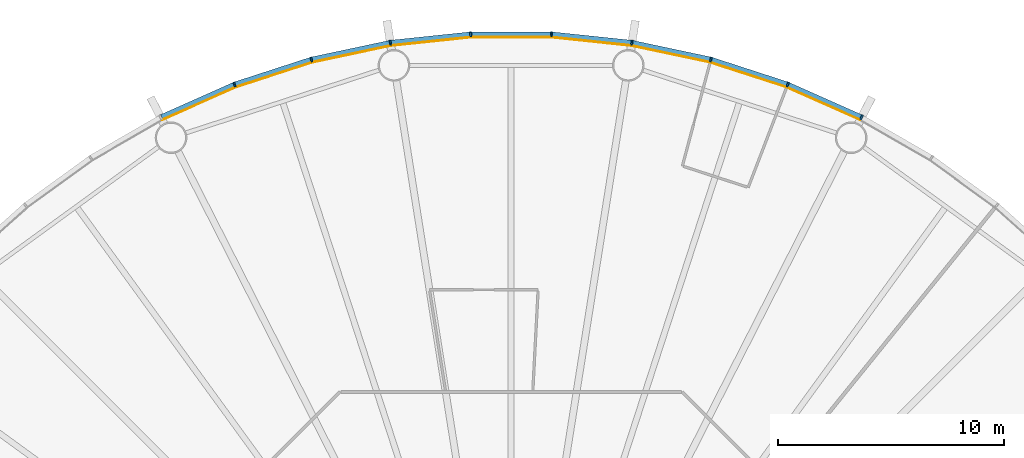
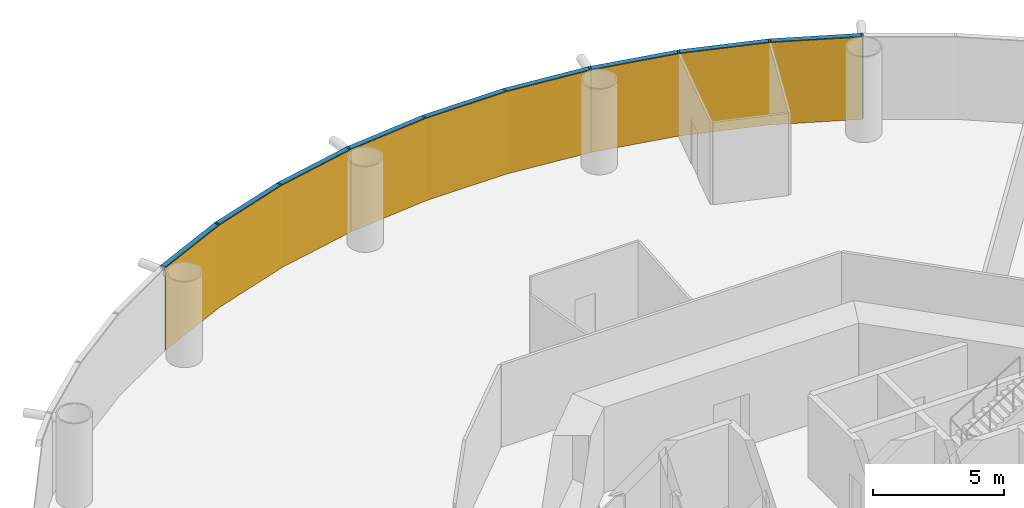
# One storey, part 12 of 13: 18 members, 3 curtain walls.
"""IFC4 building model written with IfcOpenShell, lengths in metres."""

import ifcopenshell
import ifcopenshell.guid

model = None  # the IFC model being written
_history = None  # IfcOwnerHistory: only IFC2X3 demands one
_inside = {}  # id of a spatial element -> (the spatial element, [elements in it])
_under = {}  # id of a project, library or spatial element -> (it, [spatial elements below it])
_declared = {}  # id of a project -> (the project, [libraries it declares])
_typed = {}  # id of a type object -> (the type object, [elements of that type])
_made_of = {}  # id of a material, layer set ... -> (it, [elements and type objects made of it])


def new_model(schema):
    """Start an empty IFC model of exactly this schema.

    Asked for "IFC4X3", IfcOpenShell would pick the latest addendum, in which some entities
    have other attributes; the version numbers below select the first issue.
    IFC2X3 requires an IfcOwnerHistory on every rooted entity: one is made here for all.
    """
    global model, _history
    if schema == "IFC4X3":
        model = ifcopenshell.file(schema_version=(4, 3, 0, 0))
    else:
        model = ifcopenshell.file(schema=schema)
    _inside.clear()
    _under.clear()
    _declared.clear()
    _typed.clear()
    _made_of.clear()
    _history = None
    if model.schema == "IFC2X3":
        org = make("IfcOrganization", Name="unknown")
        user = make(
            "IfcPersonAndOrganization",
            ThePerson=make("IfcPerson", FamilyName="unknown"),
            TheOrganization=org,
        )
        app = make(
            "IfcApplication",
            ApplicationDeveloper=org,
            Version="unknown",
            ApplicationFullName="unknown",
            ApplicationIdentifier="unknown",
        )
        _history = make(
            "IfcOwnerHistory",
            OwningUser=user,
            OwningApplication=app,
            ChangeAction="ADDED",
            CreationDate=0,
        )
    return model


def make(cls, **values):
    """One entity of the class cls with the attributes given. An attribute that is None is left unset."""
    return model.create_entity(
        cls, **{name: value for name, value in values.items() if value is not None}
    )


def rooted(cls, **values):
    """An entity with a GlobalId (a new one), such as an element, a storey or a relation."""
    return make(cls, GlobalId=ifcopenshell.guid.new(), OwnerHistory=_history, **values)


def si_unit(unit_type, name, prefix=None):
    """IfcSIUnit, for example si_unit("LENGTHUNIT", "METRE", prefix="MILLI")."""
    return make("IfcSIUnit", UnitType=unit_type, Prefix=prefix, Name=name)


def assignment(units):
    """IfcUnitAssignment: the units of a project."""
    return None if units is None else make("IfcUnitAssignment", Units=units)


def point(xyz):
    """IfcCartesianPoint."""
    return None if xyz is None else make("IfcCartesianPoint", Coordinates=xyz)


def direction(xyz):
    """IfcDirection."""
    return None if xyz is None else make("IfcDirection", DirectionRatios=xyz)


def frame(location, z_axis=None, x_axis=None):
    """IfcAxis2Placement3D, a coordinate frame: its origin and axes. An axis left out is left unset."""
    return make(
        "IfcAxis2Placement3D",
        Location=point(location),
        Axis=direction(z_axis),
        RefDirection=direction(x_axis),
    )


def frame_2d(location, x_axis=None):
    """IfcAxis2Placement2D, a coordinate frame in the plane: its origin and x axis."""
    return make(
        "IfcAxis2Placement2D", Location=point(location), RefDirection=direction(x_axis)
    )


def origin():
    """The frame at (0, 0, 0) with its axes left unset."""
    return frame((0.0, 0.0, 0.0))


def origin_2d():
    """The frame at (0, 0) in the plane with its x axis left unset."""
    return frame_2d((0.0, 0.0))


def place(relative_to, where):
    """IfcLocalPlacement: puts the frame where relative to a parent placement (None: the world)."""
    return make(
        "IfcLocalPlacement", PlacementRelTo=relative_to, RelativePlacement=where
    )


def context(
    kind, dimensions, precision=None, world=None, true_north=None, identifier=None
):
    """IfcGeometricRepresentationContext, for example the 3D "Model" context."""
    return make(
        "IfcGeometricRepresentationContext",
        ContextIdentifier=identifier,
        ContextType=kind,
        CoordinateSpaceDimension=dimensions,
        Precision=precision,
        WorldCoordinateSystem=world,
        TrueNorth=true_north,
    )


def subcontext(parent, identifier, kind, view, scale=None):
    """IfcGeometricRepresentationSubContext, for example "Body" below "Model"."""
    return make(
        "IfcGeometricRepresentationSubContext",
        ContextIdentifier=identifier,
        ContextType=kind,
        ParentContext=parent,
        TargetScale=scale,
        TargetView=view,
    )


def project(units=None, contexts=None):
    """IfcProject with its units and contexts."""
    return rooted(
        "IfcProject",
        Name="project",
        RepresentationContexts=contexts,
        UnitsInContext=assignment(units),
    )


def spatial(cls, under=None, at=None, **own):
    """A site, building, storey or space (cls), placed at a placement, below another one or the project."""
    s = rooted(cls, ObjectPlacement=at, **own)
    if under is not None:
        _under.setdefault(under.id(), (under, []))[1].append(s)
    return s


def polyline(points):
    """IfcPolyline through the points."""
    return make("IfcPolyline", Points=[point(p) for p in points])


def profile(cls, at=None, kind="AREA", **sizes):
    """A parametric profile (cls). Its sizes go by their IFC names, for example OverallWidth=200.0."""
    return make(cls, ProfileType=kind, Position=at, **sizes)


def rectangle(**sizes):
    """IfcRectangleProfileDef."""
    return profile("IfcRectangleProfileDef", **sizes)


def outline(outer, holes=None, kind="AREA"):
    """IfcArbitraryClosedProfileDef: a profile drawn as a closed curve; with holes, ...WithVoids."""
    if holes is None:
        return make("IfcArbitraryClosedProfileDef", ProfileType=kind, OuterCurve=outer)
    return make(
        "IfcArbitraryProfileDefWithVoids",
        ProfileType=kind,
        OuterCurve=outer,
        InnerCurves=holes,
    )


def extrude(swept, where, along, depth):
    """IfcExtrudedAreaSolid: the profile swept, set in the frame where, extruded along a direction by depth."""
    return make(
        "IfcExtrudedAreaSolid",
        SweptArea=swept,
        Position=where,
        ExtrudedDirection=direction(along),
        Depth=depth,
    )


def shape(context_of_items, identifier, shape_type, items):
    """IfcShapeRepresentation: the items that make up one representation, for example the "Body"."""
    return make(
        "IfcShapeRepresentation",
        ContextOfItems=context_of_items,
        RepresentationIdentifier=identifier,
        RepresentationType=shape_type,
        Items=items,
    )


def material(Name=None, Category=None):
    """IfcMaterial."""
    return make("IfcMaterial", Name=Name, Category=Category)


def layer(
    of_material, thickness, ventilated=None, Name=None, Category=None, Priority=None
):
    """IfcMaterialLayer: one layer of a wall or slab, of a material (None: an air gap)."""
    return make(
        "IfcMaterialLayer",
        Material=of_material,
        LayerThickness=thickness,
        IsVentilated=ventilated,
        Name=Name,
        Category=Category,
        Priority=Priority,
    )


def layer_set(layers, Name=None):
    """IfcMaterialLayerSet."""
    return make("IfcMaterialLayerSet", MaterialLayers=layers, LayerSetName=Name)


def material_profile(
    of_material, cross_section, Name=None, Category=None, Priority=None
):
    """IfcMaterialProfile: a cross section and its material."""
    return make(
        "IfcMaterialProfile",
        Name=Name,
        Material=of_material,
        Profile=cross_section,
        Priority=Priority,
        Category=Category,
    )


def profile_set(profiles, Name=None, composite=None):
    """IfcMaterialProfileSet."""
    return make(
        "IfcMaterialProfileSet",
        Name=Name,
        MaterialProfiles=profiles,
        CompositeProfile=composite,
    )


def made_of(thing, what):
    """Note that an element or type object is made of a material, layer set ...; save() writes the relation."""
    if what is not None:
        _made_of.setdefault(what.id(), (what, []))[1].append(thing)
    return thing


def type_object(cls, material=None, **own):
    """A type object (cls), such as IfcWallType, which elements share."""
    return made_of(rooted(cls, **own), material)


def element(
    cls,
    number,
    at=None,
    inside=None,
    cuts=None,
    type_object=None,
    material=None,
    context=None,
    identifier="Body",
    shape_type=None,
    held_by="IfcProductDefinitionShape",
    body=None,
    shapes=None,
    **own,
):
    """One element of the class cls, such as IfcWall. Its Tag is "e" and its number.

    at: its placement. inside: the storey or other place that contains it. cuts: it is an
    opening in that element (IfcRelVoidsElement). A single representation is given by context,
    identifier, shape_type and body (its items); several are given by shapes. held_by: the class
    of the entity that holds the representations. save() writes the other relations.
    """
    e = rooted(cls, Tag="e%d" % number, ObjectPlacement=at, **own)
    if body is not None:
        shapes = [shape(context, identifier, shape_type, body)]
    if shapes is not None:
        e.Representation = make(held_by, Representations=shapes)
    if inside is not None:
        _inside.setdefault(inside.id(), (inside, []))[1].append(e)
    if cuts is not None:
        rooted(
            "IfcRelVoidsElement", RelatingBuildingElement=cuts, RelatedOpeningElement=e
        )
    if type_object is not None:
        _typed.setdefault(type_object.id(), (type_object, []))[1].append(e)
    return made_of(e, material)


def aggregate(whole, parts):
    """IfcRelAggregates: a whole, such as a stair, and the parts it consists of."""
    return rooted("IfcRelAggregates", RelatingObject=whole, RelatedObjects=parts)


def save(model, path):
    """Write the relations noted so far, then the file.

    IfcRelAggregates (storeys below a building ...), IfcRelContainedInSpatialStructure (elements
    in a storey), IfcRelDefinesByType, IfcRelAssociatesMaterial and IfcRelDeclares: one each for
    every whole, place, type object, material and project.
    """
    for whole, parts in _under.values():
        aggregate(whole, parts)
    for where, things in _inside.values():
        rooted(
            "IfcRelContainedInSpatialStructure",
            RelatedElements=things,
            RelatingStructure=where,
        )
    for kind, things in _typed.values():
        rooted("IfcRelDefinesByType", RelatedObjects=things, RelatingType=kind)
    for what, things in _made_of.values():
        rooted("IfcRelAssociatesMaterial", RelatedObjects=things, RelatingMaterial=what)
    for by, libraries in _declared.values():
        rooted("IfcRelDeclares", RelatingContext=by, RelatedDefinitions=libraries)
    model.write(path)


model = new_model("IFC4")

# Units and contexts
model_context = context("Model", 3, precision=1e-05, world=origin(), true_north=direction((0.0, 1.0)))
body_context = subcontext(model_context, "Body", "Model", "MODEL_VIEW")
ifc_project = project(units=[si_unit("LENGTHUNIT", "METRE"), si_unit("AREAUNIT", "SQUARE_METRE"), si_unit("VOLUMEUNIT", "CUBIC_METRE"), si_unit("PLANEANGLEUNIT", "RADIAN"), si_unit("MASSUNIT", "GRAM", prefix="KILO")], contexts=[model_context])

# Member
ifc_material_1 = material(Name="Anodised aluminium", Category="aluminium")
ifc_material_profile_1 = material_profile(ifc_material_1, rectangle(XDim=0.074951171875, YDim=0.219970703125, at=origin_2d()), Name="Mullion 75 x 220 mm anodised aluminium")
ifc_profile_set_1 = profile_set([ifc_material_profile_1], Name="Anodised aluminium")
member_type_1 = type_object("IfcMemberType", Name="Mullion 75 x 220 mm anodised aluminium", PredefinedType="MULLION", material=ifc_profile_set_1)
site_placement = place(None, origin())
building_placement = place(site_placement, origin())
storey_placement = place(building_placement, frame((0.0, 0.0, 50.0)))
member_1_placement = place(storey_placement, frame((105.485595703125, 110.392333984375, 0.0), z_axis=(0.0, 0.0, 1.0), x_axis=(-0.891006524188, 0.45399049974, 0.0)))
member_1 = element("IfcMember", 1, at=member_1_placement, type_object=member_type_1, Name="MULLION L10-09", PredefinedType="MULLION", context=body_context, shape_type="SweptSolid", body=[
    extrude(rectangle(XDim=0.074951171875, YDim=0.219970703125, at=origin_2d()), origin(), (0.0, 0.0, 1.0), 3.85009765625),
])

member_2_placement = place(storey_placement, frame((102.223876953125, 111.844482421875, 0.0), z_axis=(0.0, 0.0, 1.0), x_axis=(-0.933580426497, 0.358367949545, 0.0)))
member_2 = element("IfcMember", 2, at=member_2_placement, type_object=member_type_1, Name="MULLION L10-10", PredefinedType="MULLION", context=body_context, shape_type="SweptSolid", body=[
    extrude(rectangle(XDim=0.074951171875, YDim=0.219970703125, at=origin_2d()), origin(), (0.0, 0.0, 1.0), 3.85009765625),
])

member_3_placement = place(storey_placement, frame((98.828369140625, 112.94775390625, 0.0), z_axis=(0.0, 0.0, 1.0), x_axis=(-0.965925826289, 0.258819045103, 0.0)))
member_3 = element("IfcMember", 3, at=member_3_placement, type_object=member_type_1, Name="MULLION L10-11", PredefinedType="MULLION", context=body_context, shape_type="SweptSolid", body=[
    extrude(rectangle(XDim=0.074951171875, YDim=0.219970703125, at=origin_2d()), origin(), (0.0, 0.0, 1.0), 3.85009765625),
])

member_4_placement = place(storey_placement, frame((95.3359375, 113.68994140625, 0.0), z_axis=(0.0, 0.0, 1.0), x_axis=(-0.987688340595, 0.15643446504, 0.0)))
member_4 = element("IfcMember", 4, at=member_4_placement, type_object=member_type_1, Name="MULLION L10-12", PredefinedType="MULLION", context=body_context, shape_type="SweptSolid", body=[
    extrude(rectangle(XDim=0.074951171875, YDim=0.219970703125, at=origin_2d()), origin(), (0.0, 0.0, 1.0), 3.85009765625),
])

member_5_placement = place(storey_placement, frame((91.78515625, 114.063232421875, 0.0), z_axis=(0.0, 0.0, 1.0), x_axis=(-0.998629534755, 0.052335956243, 0.0)))
member_5 = element("IfcMember", 5, at=member_5_placement, type_object=member_type_1, Name="MULLION L10-13", PredefinedType="MULLION", context=body_context, shape_type="SweptSolid", body=[
    extrude(rectangle(XDim=0.074951171875, YDim=0.219970703125, at=origin_2d()), origin(), (0.0, 0.0, 1.0), 3.85009765625),
])

member_6_placement = place(storey_placement, frame((88.21484375, 114.063232421875, 0.0), z_axis=(0.0, 0.0, 1.0), x_axis=(-0.998629534755, -0.052335956243, 0.0)))
member_6 = element("IfcMember", 6, at=member_6_placement, type_object=member_type_1, Name="MULLION L10-14", PredefinedType="MULLION", context=body_context, shape_type="SweptSolid", body=[
    extrude(rectangle(XDim=0.074951171875, YDim=0.219970703125, at=origin_2d()), origin(), (0.0, 0.0, 1.0), 3.85009765625),
])

member_7_placement = place(storey_placement, frame((84.6640625, 113.68994140625, 0.0), z_axis=(0.0, 0.0, 1.0), x_axis=(-0.987688340595, -0.15643446504, 0.0)))
member_7 = element("IfcMember", 7, at=member_7_placement, type_object=member_type_1, Name="MULLION L10-15", PredefinedType="MULLION", context=body_context, shape_type="SweptSolid", body=[
    extrude(rectangle(XDim=0.074951171875, YDim=0.219970703125, at=origin_2d()), origin(), (0.0, 0.0, 1.0), 3.85009765625),
])

member_8_placement = place(storey_placement, frame((81.171630859375, 112.94775390625, 0.0), z_axis=(0.0, 0.0, 1.0), x_axis=(-0.965925826289, -0.258819045103, 0.0)))
member_8 = element("IfcMember", 8, at=member_8_placement, type_object=member_type_1, Name="MULLION L10-16", PredefinedType="MULLION", context=body_context, shape_type="SweptSolid", body=[
    extrude(rectangle(XDim=0.074951171875, YDim=0.219970703125, at=origin_2d()), origin(), (0.0, 0.0, 1.0), 3.85009765625),
])

member_9_placement = place(storey_placement, frame((77.776123046875, 111.844482421875, 0.0), z_axis=(0.0, 0.0, 1.0), x_axis=(-0.933580426497, -0.358367949545, 0.0)))
member_9 = element("IfcMember", 9, at=member_9_placement, type_object=member_type_1, Name="MULLION L10-17", PredefinedType="MULLION", context=body_context, shape_type="SweptSolid", body=[
    extrude(rectangle(XDim=0.074951171875, YDim=0.219970703125, at=origin_2d()), origin(), (0.0, 0.0, 1.0), 3.85009765625),
])

ifc_material_2 = material(Name="Anodised aluminium", Category="aluminium")
ifc_material_profile_2 = material_profile(ifc_material_2, rectangle(XDim=0.219970703125, YDim=0.199951171875, at=origin_2d()), Name="Transom 200 x 220 mm anodised aluminium")
ifc_profile_set_2 = profile_set([ifc_material_profile_2], Name="Anodised aluminium")
member_type_2 = type_object("IfcMemberType", Name="Transom 200 x 220 mm anodised aluminium", PredefinedType="USERDEFINED", material=ifc_profile_set_2)
member_10_placement = place(storey_placement, frame((105.446044921875, 110.409912109375, 3.75), z_axis=(-0.913545487371, 0.406736576304, 0.0), x_axis=(-0.406736576304, -0.913545487371, 0.0)))
member_10 = element("IfcMember", 10, at=member_10_placement, type_object=member_type_2, Name="TRANSOM L10-09", ObjectType="TRANSOM", PredefinedType="USERDEFINED", context=body_context, shape_type="SweptSolid", body=[
    extrude(rectangle(XDim=0.219970703125, YDim=0.199951171875, at=origin_2d()), origin(), (0.0, 0.0, 1.0), 3.48388671875),
])

member_11_placement = place(storey_placement, frame((102.182861328125, 111.85791015625, 3.75), z_axis=(-0.951052605696, 0.309029029702, 0.0), x_axis=(-0.309029029702, -0.951052605696, 0.0)))
member_11 = element("IfcMember", 11, at=member_11_placement, type_object=member_type_2, Name="TRANSOM L10-10", ObjectType="TRANSOM", PredefinedType="USERDEFINED", context=body_context, shape_type="SweptSolid", body=[
    extrude(rectangle(XDim=0.219970703125, YDim=0.199951171875, at=origin_2d()), origin(), (0.0, 0.0, 1.0), 3.484130859375),
])

member_12_placement = place(storey_placement, frame((98.7861328125, 112.956787109375, 3.75), z_axis=(-0.978145669426, 0.207920776701, 0.0), x_axis=(-0.207920776701, -0.978145669426, 0.0)))
member_12 = element("IfcMember", 12, at=member_12_placement, type_object=member_type_2, Name="TRANSOM L10-11", ObjectType="TRANSOM", PredefinedType="USERDEFINED", context=body_context, shape_type="SweptSolid", body=[
    extrude(rectangle(XDim=0.219970703125, YDim=0.199951171875, at=origin_2d()), origin(), (0.0, 0.0, 1.0), 3.48388671875),
])

member_13_placement = place(storey_placement, frame((95.29296875, 113.69482421875, 3.75), z_axis=(-0.994526551648, 0.104484152234, 0.0), x_axis=(-0.104484152234, -0.994526551648, 0.0)))
member_13 = element("IfcMember", 13, at=member_13_placement, type_object=member_type_2, Name="TRANSOM L10-12", ObjectType="TRANSOM", PredefinedType="USERDEFINED", context=body_context, shape_type="SweptSolid", body=[
    extrude(rectangle(XDim=0.219970703125, YDim=0.199951171875, at=origin_2d()), origin(), (0.0, 0.0, 1.0), 3.48388671875),
])

member_14_placement = place(storey_placement, frame((91.741943359375, 114.0634765625, 3.75), z_axis=(-1.0, 0.0, 0.0), x_axis=(0.0, -1.0, 0.0)))
member_14 = element("IfcMember", 14, at=member_14_placement, type_object=member_type_2, Name="TRANSOM L10-13", ObjectType="TRANSOM", PredefinedType="USERDEFINED", context=body_context, shape_type="SweptSolid", body=[
    extrude(rectangle(XDim=0.219970703125, YDim=0.199951171875, at=origin_2d()), origin(), (0.0, 0.0, 1.0), 3.48388671875),
])

member_15_placement = place(storey_placement, frame((88.171875, 114.058837890625, 3.75), z_axis=(-0.994526551648, -0.104484152234, 0.0), x_axis=(0.104484152234, -0.994526551648, 0.0)))
member_15 = element("IfcMember", 15, at=member_15_placement, type_object=member_type_2, Name="TRANSOM L10-14", ObjectType="TRANSOM", PredefinedType="USERDEFINED", context=body_context, shape_type="SweptSolid", body=[
    extrude(rectangle(XDim=0.219970703125, YDim=0.199951171875, at=origin_2d()), origin(), (0.0, 0.0, 1.0), 3.48388671875),
])

member_16_placement = place(storey_placement, frame((84.62158203125, 113.68115234375, 3.75), z_axis=(-0.978145669426, -0.207920776701, 0.0), x_axis=(0.207920776701, -0.978145669426, 0.0)))
member_16 = element("IfcMember", 16, at=member_16_placement, type_object=member_type_2, Name="TRANSOM L10-15", ObjectType="TRANSOM", PredefinedType="USERDEFINED", context=body_context, shape_type="SweptSolid", body=[
    extrude(rectangle(XDim=0.219970703125, YDim=0.199951171875, at=origin_2d()), origin(), (0.0, 0.0, 1.0), 3.48388671875),
])

member_17_placement = place(storey_placement, frame((81.130615234375, 112.9345703125, 3.75), z_axis=(-0.951052605696, -0.309029029702, 0.0), x_axis=(0.309029029702, -0.951052605696, 0.0)))
member_17 = element("IfcMember", 17, at=member_17_placement, type_object=member_type_2, Name="TRANSOM L10-16", ObjectType="TRANSOM", PredefinedType="USERDEFINED", context=body_context, shape_type="SweptSolid", body=[
    extrude(rectangle(XDim=0.219970703125, YDim=0.199951171875, at=origin_2d()), origin(), (0.0, 0.0, 1.0), 3.484130859375),
])

member_18_placement = place(storey_placement, frame((77.736572265625, 111.826904296875, 3.75), z_axis=(-0.913545487371, -0.406736576304, 0.0), x_axis=(0.406736576304, -0.913545487371, 0.0)))
member_18 = element("IfcMember", 18, at=member_18_placement, type_object=member_type_2, Name="TRANSOM L10-17", ObjectType="TRANSOM", PredefinedType="USERDEFINED", context=body_context, shape_type="SweptSolid", body=[
    extrude(rectangle(XDim=0.219970703125, YDim=0.199951171875, at=origin_2d()), origin(), (0.0, 0.0, 1.0), 3.48388671875),
])

# Site, building, storey
site = spatial("IfcSite", under=ifc_project, at=site_placement, CompositionType="ELEMENT")
building = spatial("IfcBuilding", under=site, at=building_placement, Name="Entoto Ring Tower", CompositionType="ELEMENT")
storey = spatial("IfcBuildingStorey", under=building, at=storey_placement, Name="L10", CompositionType="ELEMENT", Elevation=50.0)

# Curtain wall
ifc_material_3 = material(Name="Clear low-iron glass", Category="glass")
ifc_layer = layer(ifc_material_3, 0.0400390625)
ifc_layer_set = layer_set([ifc_layer], Name="Clear low-iron glass")
curtain_wall_type = type_object("IfcCurtainWallType", Name="Curtain wall system CW1 glazing 40 mm", PredefinedType="NOTDEFINED", material=ifc_layer_set)
curtain_wall_1_placement = place(storey_placement, origin())
curtain_wall_1 = element("IfcCurtainWall", 19, at=curtain_wall_1_placement, inside=storey, type_object=curtain_wall_type, Name="CW1 L10-04", PredefinedType="NOTDEFINED", context=body_context, shape_type="SweptSolid", body=[
    extrude(outline(polyline([(105.435791015625, 110.294189453125), (102.1845703125, 111.74169921875), (98.7998046875, 112.841552734375), (95.31884765625, 113.581298828125), (95.3125, 113.541748046875), (98.78955078125, 112.802734375), (102.170166015625, 111.704345703125), (105.41748046875, 110.258544921875), (105.435791015625, 110.294189453125)])), origin(), (0.0, 0.0, 1.0), 3.85009765625),
])

aggregate(curtain_wall_1, [member_1, member_2, member_3, member_10, member_11, member_12])

curtain_wall_2_placement = place(storey_placement, origin())
curtain_wall_2 = element("IfcCurtainWall", 20, at=curtain_wall_2_placement, inside=storey, type_object=curtain_wall_type, Name="CW1 L10-05", PredefinedType="NOTDEFINED", context=body_context, shape_type="SweptSolid", body=[
    extrude(outline(polyline([(95.31884765625, 113.581298828125), (91.779541015625, 113.953369140625), (88.220458984375, 113.953369140625), (84.68115234375, 113.581298828125), (84.6875, 113.541748046875), (88.22265625, 113.913330078125), (91.77734375, 113.913330078125), (95.3125, 113.541748046875), (95.31884765625, 113.581298828125)])), origin(), (0.0, 0.0, 1.0), 3.85009765625),
])

aggregate(curtain_wall_2, [member_4, member_5, member_6, member_13, member_14, member_15])

curtain_wall_3_placement = place(storey_placement, origin())
curtain_wall_3 = element("IfcCurtainWall", 21, at=curtain_wall_3_placement, inside=storey, type_object=curtain_wall_type, Name="CW1 L10-06", PredefinedType="NOTDEFINED", context=body_context, shape_type="SweptSolid", body=[
    extrude(outline(polyline([(84.68115234375, 113.581298828125), (81.2001953125, 112.841552734375), (77.8154296875, 111.74169921875), (74.564208984375, 110.294189453125), (74.58251953125, 110.258544921875), (77.829833984375, 111.704345703125), (81.21044921875, 112.802734375), (84.6875, 113.541748046875), (84.68115234375, 113.581298828125)])), origin(), (0.0, 0.0, 1.0), 3.85009765625),
])

aggregate(curtain_wall_3, [member_7, member_8, member_9, member_16, member_17, member_18])

save(model, "model.ifc")
